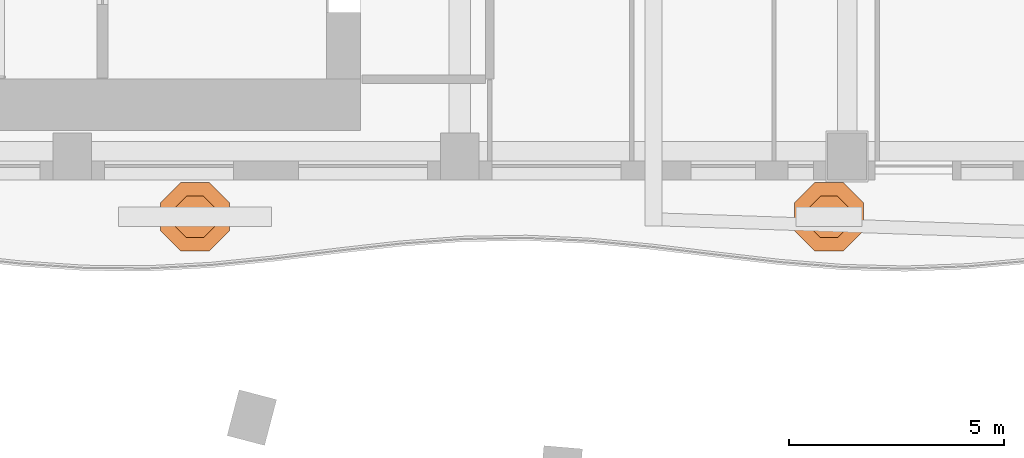
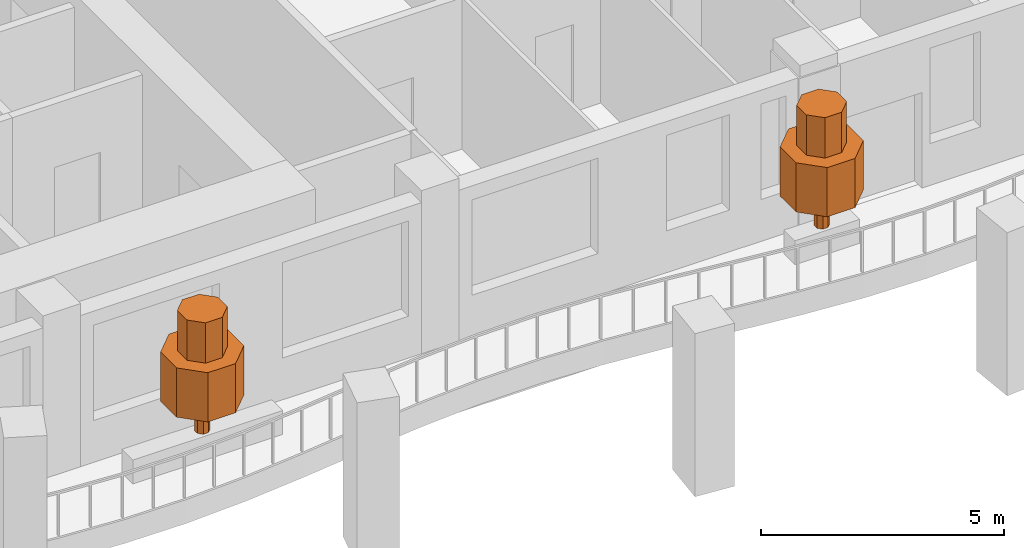
# One storey, part 14 of 14: 2 geographic elements.
"""IFC4 building model written with IfcOpenShell, lengths in metres."""

from ifc_helpers import new_model, si_unit, direction, frame, origin, place, context, subcontext, project, spatial, polyline, outline, extrude, material, type_object, element, save


model = new_model("IFC4")

# Units and contexts
model_context = context("Model", 3, precision=1e-05, world=origin(), true_north=direction((0.0, 1.0)))
body_context = subcontext(model_context, "Body", "Model", "MODEL_VIEW")
ifc_project = project(units=[si_unit("LENGTHUNIT", "METRE"), si_unit("AREAUNIT", "SQUARE_METRE"), si_unit("VOLUMEUNIT", "CUBIC_METRE"), si_unit("PLANEANGLEUNIT", "RADIAN"), si_unit("MASSUNIT", "GRAM", prefix="KILO")], contexts=[model_context])

# Site, building, storey
site_placement = place(None, origin())
site = spatial("IfcSite", under=ifc_project, at=site_placement, CompositionType="ELEMENT")
building_placement = place(site_placement, origin())
building = spatial("IfcBuilding", under=site, at=building_placement, Name="Cypress Arch Tower", CompositionType="ELEMENT")
storey_placement = place(building_placement, frame((0.0, 0.0, 185.10009765625)))
storey = spatial("IfcBuildingStorey", under=building, at=storey_placement, Name="L40", CompositionType="ELEMENT", Elevation=185.10009765625)

# Geographic elements
ifc_material = material(Name="Foliage and planting")
geographic_element_type = type_object("IfcGeographicElementType", Name="Balcony tree TR", PredefinedType="USERDEFINED", material=ifc_material)
for number, where, z_axis, x_axis, name in (
    (1, (-17.85009765625, -18.0, 0.599853515625), (0.0, 0.0, 1.0), (1.0, 0.0, 0.0), "Balcony tree L40-B01.1"),
    (2, (-3.1201171875, -18.0, 0.599853515625), (0.0, 0.0, 1.0), (1.0, 0.0, 0.0), "Balcony tree L40-B01.2"),
):
    element("IfcGeographicElement", number, at=place(storey_placement, frame(where, z_axis=z_axis, x_axis=x_axis)), inside=storey, type_object=geographic_element_type, Name=name, ObjectType="TREE", PredefinedType="USERDEFINED", context=body_context, shape_type="SweptSolid", body=[
        extrude(outline(polyline([(0.14990234375, 0.06201171875), (0.06201171875, 0.14990234375), (-0.06201171875, 0.14990234375), (-0.14990234375, 0.06201171875), (-0.14990234375, -0.06201171875), (-0.06201171875, -0.14990234375), (0.06201171875, -0.14990234375), (0.14990234375, -0.06201171875), (0.14990234375, 0.06201171875)])), origin(), (0.0, 0.0, 1.0), 0.89990234375),
        extrude(outline(polyline([(0.800048828125, 0.331298828125), (0.331298828125, 0.800048828125), (-0.331298828125, 0.800048828125), (-0.800048828125, 0.331298828125), (-0.800048828125, -0.331298828125), (-0.331298828125, -0.800048828125), (0.331298828125, -0.800048828125), (0.800048828125, -0.331298828125), (0.800048828125, 0.331298828125)])), frame((0.0, 0.0, 0.800048828125)), (0.0, 0.0, 1.0), 1.237548828125),
        extrude(outline(polyline([(0.47998046875, 0.19873046875), (0.19873046875, 0.47998046875), (-0.19873046875, 0.47998046875), (-0.47998046875, 0.19873046875), (-0.47998046875, -0.19873046875), (-0.19873046875, -0.47998046875), (0.19873046875, -0.47998046875), (0.47998046875, -0.19873046875), (0.47998046875, 0.19873046875)])), frame((0.0, 0.0, 2.03759765625)), (0.0, 0.0, 1.0), 1.012451171875),
    ])

save(model, "model.ifc")
